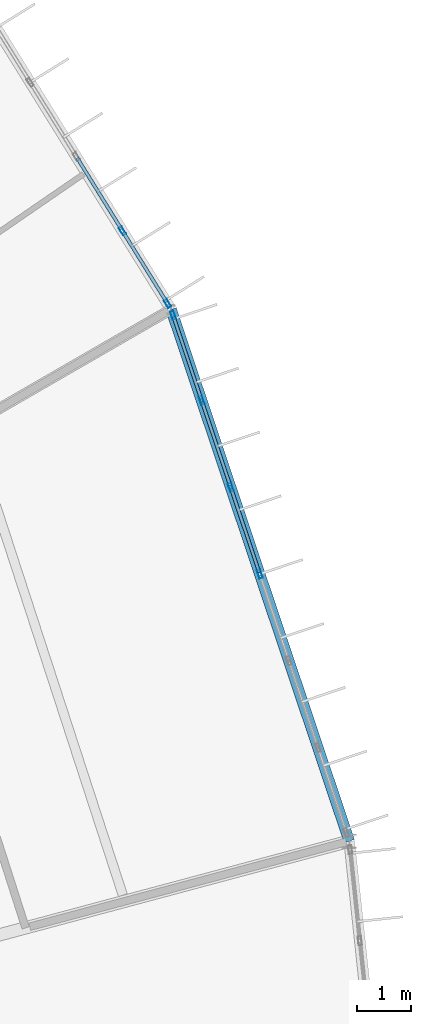
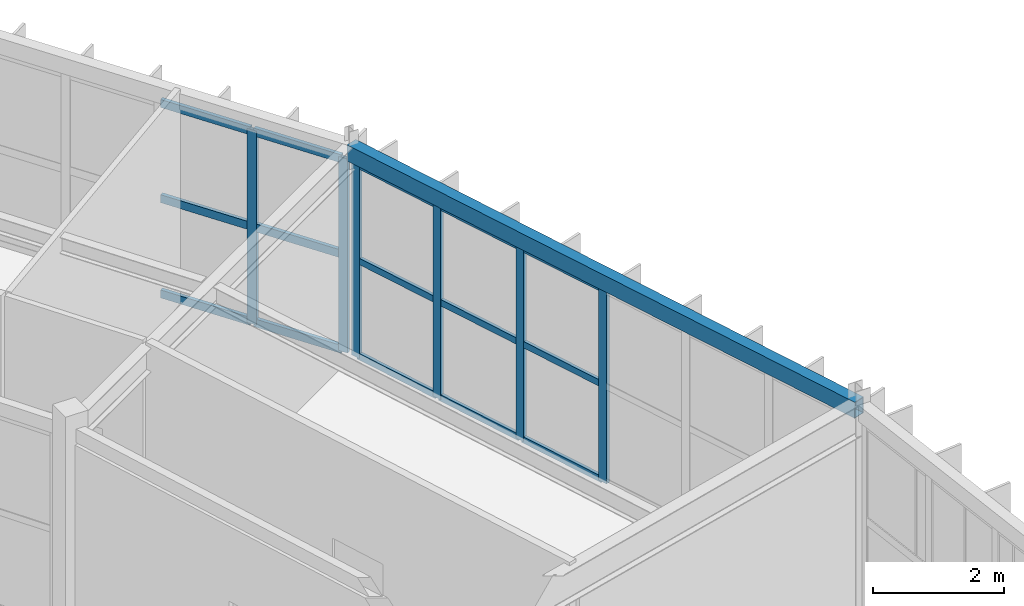
# One storey, part 74 of 130: 21 members, 1 beam, 2 elements without a shape of their own.
"""IFC4 building model written with IfcOpenShell, lengths in metres."""

from ifc_helpers import new_model, si_unit, direction, frame, origin, origin_2d, place, context, subcontext, project, spatial, hollow_rectangle, extrude, material, material_profile, profile_set, type_object, element, aggregate, save


model = new_model("IFC4")

# Units and contexts
model_context = context("Model", 3, precision=1e-05, world=origin(), true_north=direction((0.0, 1.0)))
body_context = subcontext(model_context, "Body", "Model", "MODEL_VIEW")
ifc_project = project(units=[si_unit("LENGTHUNIT", "METRE"), si_unit("AREAUNIT", "SQUARE_METRE"), si_unit("VOLUMEUNIT", "CUBIC_METRE"), si_unit("PLANEANGLEUNIT", "RADIAN"), si_unit("MASSUNIT", "GRAM", prefix="KILO")], contexts=[model_context])

# Site, building, storey
site_placement = place(None, origin())
site = spatial("IfcSite", under=ifc_project, at=site_placement, CompositionType="ELEMENT")
building_placement = place(site_placement, origin())
building = spatial("IfcBuilding", under=site, at=building_placement, Name="Karori Crest Natural Sciences Institute", CompositionType="ELEMENT")
storey_placement = place(building_placement, frame((0.0, 0.0, 17.5)))
storey = spatial("IfcBuildingStorey", under=building, at=storey_placement, Name="L04", CompositionType="ELEMENT", Elevation=17.5)

# Beam
ifc_material_1 = material(Name="Hollow structural steel AS/NZS 1163 Grade C350", Category="steel")
ifc_material_profile_1 = material_profile(ifc_material_1, hollow_rectangle(XDim=0.199951171875, YDim=0.300048828125, WallThickness=0.010009765625, at=origin_2d()), Name="RHS300x200x10")
ifc_profile_set_1 = profile_set([ifc_material_profile_1], Name="Hollow structural steel AS/NZS 1163 Grade C350")
beam_type = type_object("IfcBeamType", Name="BT-15", PredefinedType="SPANDREL", material=ifc_profile_set_1)
beam_placement = place(storey_placement, frame((98.275634765625, 60.459716796875, 3.7900390625), z_axis=(-0.317681238028, 0.948197569605, 0.0), x_axis=(-0.948197569605, -0.317681238028, 0.0)))
element("IfcBeam", 1, at=beam_placement, inside=storey, type_object=beam_type, Name="Beam B-0453", PredefinedType="SPANDREL", context=body_context, shape_type="SweptSolid", body=[
    extrude(hollow_rectangle(XDim=0.199951171875, YDim=0.300048828125, WallThickness=0.010009765625, at=origin_2d()), origin(), (0.0, 0.0, 1.0), 10.3779296875),
])

# Curtain wall, members
ifc_material_2 = material(Name="Anodised architectural aluminium 6063-T6", Category="aluminium")
curtain_wall_type_1 = type_object("IfcCurtainWallType", Name="CWT-02", PredefinedType="NOTDEFINED", material=ifc_material_2)
curtain_wall_1_placement = place(storey_placement, origin())
curtain_wall_1 = element("IfcCurtainWall", 2, at=curtain_wall_1_placement, inside=storey, type_object=curtain_wall_type_1, Name="Curtain wall CW-0138", PredefinedType="NOTDEFINED")
ifc_material_profile_2 = material_profile(ifc_material_2, hollow_rectangle(XDim=0.06494140625, YDim=0.159912109375, WallThickness=0.00390625, at=origin_2d()), Name="CWM160x65x4")
ifc_profile_set_2 = profile_set([ifc_material_profile_2], Name="Anodised architectural aluminium 6063-T6")
member_type_1 = type_object("IfcMemberType", Name="CWM-01", PredefinedType="MULLION", material=ifc_profile_set_2)
member_1_placement = place(storey_placement, frame((95.015625, 70.190185546875, 0.0), z_axis=(0.0, 0.0, 1.0), x_axis=(0.94819805026, 0.317679803392, 0.0)))
member_1 = element("IfcMember", 3, at=member_1_placement, type_object=member_type_1, Name="CW-0138 mullion 1", PredefinedType="MULLION", context=body_context, shape_type="SweptSolid", body=[
    extrude(hollow_rectangle(XDim=0.06494140625, YDim=0.159912109375, WallThickness=0.00390625, at=origin_2d()), origin(), (0.0, 0.0, 1.0), 3.625),
])
member_2_placement = place(storey_placement, frame((95.54345703125, 68.614990234375, 0.0), z_axis=(0.0, 0.0, 1.0), x_axis=(0.94819805026, 0.317679803392, 0.0)))
member_2 = element("IfcMember", 4, at=member_2_placement, type_object=member_type_1, Name="CW-0138 mullion 2", PredefinedType="MULLION", context=body_context, shape_type="SweptSolid", body=[
    extrude(hollow_rectangle(XDim=0.06494140625, YDim=0.159912109375, WallThickness=0.00390625, at=origin_2d()), origin(), (0.0, 0.0, 1.0), 3.625),
])
member_3_placement = place(storey_placement, frame((96.08154296875, 67.0087890625, 0.0), z_axis=(0.0, 0.0, 1.0), x_axis=(0.94819805026, 0.317679803392, 0.0)))
member_3 = element("IfcMember", 5, at=member_3_placement, type_object=member_type_1, Name="CW-0138 mullion 3", PredefinedType="MULLION", context=body_context, shape_type="SweptSolid", body=[
    extrude(hollow_rectangle(XDim=0.06494140625, YDim=0.159912109375, WallThickness=0.00390625, at=origin_2d()), origin(), (0.0, 0.0, 1.0), 3.625),
])
member_4_placement = place(storey_placement, frame((96.619384765625, 65.40283203125, 0.0), z_axis=(0.0, 0.0, 1.0), x_axis=(0.94819805026, 0.317679803392, 0.0)))
member_4 = element("IfcMember", 6, at=member_4_placement, type_object=member_type_1, Name="CW-0138 mullion 4", PredefinedType="MULLION", context=body_context, shape_type="SweptSolid", body=[
    extrude(hollow_rectangle(XDim=0.06494140625, YDim=0.159912109375, WallThickness=0.00390625, at=origin_2d()), origin(), (0.0, 0.0, 1.0), 3.625),
])

curtain_wall_type_2 = type_object("IfcCurtainWallType", Name="CWT-03", PredefinedType="NOTDEFINED", material=ifc_material_2)
curtain_wall_2_placement = place(storey_placement, origin())
curtain_wall_2 = element("IfcCurtainWall", 7, at=curtain_wall_2_placement, inside=storey, type_object=curtain_wall_type_2, Name="Curtain wall CW-0139", PredefinedType="NOTDEFINED")
member_5_placement = place(storey_placement, frame((94.076904296875, 71.7529296875, 0.0), z_axis=(0.0, 0.0, 1.0), x_axis=(0.849661985715, 0.527327706489, 0.0)))
member_5 = element("IfcMember", 8, at=member_5_placement, type_object=member_type_1, Name="CW-0139 mullion 6", PredefinedType="MULLION", context=body_context, shape_type="SweptSolid", body=[
    extrude(hollow_rectangle(XDim=0.06494140625, YDim=0.159912109375, WallThickness=0.00390625, at=origin_2d()), origin(), (0.0, 0.0, 1.0), 3.625),
])
member_6_placement = place(storey_placement, frame((94.912353515625, 70.406982421875, 0.0), z_axis=(0.0, 0.0, 1.0), x_axis=(0.849661985715, 0.527327706489, 0.0)))
member_6 = element("IfcMember", 9, at=member_6_placement, type_object=member_type_1, Name="CW-0139 mullion 7", PredefinedType="MULLION", context=body_context, shape_type="SweptSolid", body=[
    extrude(hollow_rectangle(XDim=0.06494140625, YDim=0.159912109375, WallThickness=0.00390625, at=origin_2d()), origin(), (0.0, 0.0, 1.0), 3.625),
])

# Member
ifc_material_profile_3 = material_profile(ifc_material_2, hollow_rectangle(XDim=0.06005859375, YDim=0.1201171875, WallThickness=0.00390625, at=origin_2d()), Name="CWT120x60x4")
ifc_profile_set_3 = profile_set([ifc_material_profile_3], Name="Anodised architectural aluminium 6063-T6")
member_type_2 = type_object("IfcMemberType", Name="CWT-TR1", PredefinedType="USERDEFINED", material=ifc_profile_set_3)
member_7_placement = place(storey_placement, frame((95.02587890625, 70.1591796875, 0.030029296875), z_axis=(0.317695793379, -0.9481926929, 0.0), x_axis=(0.9481926929, 0.317695793379, 0.0)))
member_7 = element("IfcMember", 10, at=member_7_placement, type_object=member_type_2, Name="CW-0138 transom 1.1", ObjectType="TRANSOM", PredefinedType="USERDEFINED", context=body_context, shape_type="SweptSolid", body=[
    extrude(hollow_rectangle(XDim=0.06005859375, YDim=0.1201171875, WallThickness=0.00390625, at=origin_2d()), origin(), (0.0, 0.0, 1.0), 1.59619140625),
])

member_8_placement = place(storey_placement, frame((95.02587890625, 70.1591796875, 1.8125), z_axis=(0.317695793379, -0.9481926929, 0.0), x_axis=(0.9481926929, 0.317695793379, 0.0)))
member_8 = element("IfcMember", 11, at=member_8_placement, type_object=member_type_2, Name="CW-0138 transom 1.2", ObjectType="TRANSOM", PredefinedType="USERDEFINED", context=body_context, shape_type="SweptSolid", body=[
    extrude(hollow_rectangle(XDim=0.06005859375, YDim=0.1201171875, WallThickness=0.00390625, at=origin_2d()), origin(), (0.0, 0.0, 1.0), 1.59619140625),
])

member_9_placement = place(storey_placement, frame((95.02587890625, 70.1591796875, 3.594970703125), z_axis=(0.317695793379, -0.9481926929, 0.0), x_axis=(0.9481926929, 0.317695793379, 0.0)))
member_9 = element("IfcMember", 12, at=member_9_placement, type_object=member_type_2, Name="CW-0138 transom 1.3", ObjectType="TRANSOM", PredefinedType="USERDEFINED", context=body_context, shape_type="SweptSolid", body=[
    extrude(hollow_rectangle(XDim=0.06005859375, YDim=0.1201171875, WallThickness=0.00390625, at=origin_2d()), origin(), (0.0, 0.0, 1.0), 1.59619140625),
])

member_10_placement = place(storey_placement, frame((95.5537109375, 68.583984375, 0.030029296875), z_axis=(0.317666571129, -0.948202483432, 0.0), x_axis=(0.948202483432, 0.317666571129, 0.0)))
member_10 = element("IfcMember", 13, at=member_10_placement, type_object=member_type_2, Name="CW-0138 transom 2.1", ObjectType="TRANSOM", PredefinedType="USERDEFINED", context=body_context, shape_type="SweptSolid", body=[
    extrude(hollow_rectangle(XDim=0.06005859375, YDim=0.1201171875, WallThickness=0.00390625, at=origin_2d()), origin(), (0.0, 0.0, 1.0), 1.628662109375),
])

member_11_placement = place(storey_placement, frame((95.5537109375, 68.583984375, 1.8125), z_axis=(0.317666571129, -0.948202483432, 0.0), x_axis=(0.948202483432, 0.317666571129, 0.0)))
member_11 = element("IfcMember", 14, at=member_11_placement, type_object=member_type_2, Name="CW-0138 transom 2.2", ObjectType="TRANSOM", PredefinedType="USERDEFINED", context=body_context, shape_type="SweptSolid", body=[
    extrude(hollow_rectangle(XDim=0.06005859375, YDim=0.1201171875, WallThickness=0.00390625, at=origin_2d()), origin(), (0.0, 0.0, 1.0), 1.628662109375),
])

member_12_placement = place(storey_placement, frame((95.5537109375, 68.583984375, 3.594970703125), z_axis=(0.317666571129, -0.948202483432, 0.0), x_axis=(0.948202483432, 0.317666571129, 0.0)))
member_12 = element("IfcMember", 15, at=member_12_placement, type_object=member_type_2, Name="CW-0138 transom 2.3", ObjectType="TRANSOM", PredefinedType="USERDEFINED", context=body_context, shape_type="SweptSolid", body=[
    extrude(hollow_rectangle(XDim=0.06005859375, YDim=0.1201171875, WallThickness=0.00390625, at=origin_2d()), origin(), (0.0, 0.0, 1.0), 1.628662109375),
])

member_13_placement = place(storey_placement, frame((96.091796875, 66.97802734375, 0.030029296875), z_axis=(0.317666571129, -0.948202483432, 0.0), x_axis=(0.948202483432, 0.317666571129, 0.0)))
member_13 = element("IfcMember", 16, at=member_13_placement, type_object=member_type_2, Name="CW-0138 transom 3.1", ObjectType="TRANSOM", PredefinedType="USERDEFINED", context=body_context, shape_type="SweptSolid", body=[
    extrude(hollow_rectangle(XDim=0.06005859375, YDim=0.1201171875, WallThickness=0.00390625, at=origin_2d()), origin(), (0.0, 0.0, 1.0), 1.628662109375),
])

member_14_placement = place(storey_placement, frame((96.091796875, 66.97802734375, 1.8125), z_axis=(0.317666571129, -0.948202483432, 0.0), x_axis=(0.948202483432, 0.317666571129, 0.0)))
member_14 = element("IfcMember", 17, at=member_14_placement, type_object=member_type_2, Name="CW-0138 transom 3.2", ObjectType="TRANSOM", PredefinedType="USERDEFINED", context=body_context, shape_type="SweptSolid", body=[
    extrude(hollow_rectangle(XDim=0.06005859375, YDim=0.1201171875, WallThickness=0.00390625, at=origin_2d()), origin(), (0.0, 0.0, 1.0), 1.628662109375),
])

member_15_placement = place(storey_placement, frame((96.091796875, 66.97802734375, 3.594970703125), z_axis=(0.317666571129, -0.948202483432, 0.0), x_axis=(0.948202483432, 0.317666571129, 0.0)))
member_15 = element("IfcMember", 18, at=member_15_placement, type_object=member_type_2, Name="CW-0138 transom 3.3", ObjectType="TRANSOM", PredefinedType="USERDEFINED", context=body_context, shape_type="SweptSolid", body=[
    extrude(hollow_rectangle(XDim=0.06005859375, YDim=0.1201171875, WallThickness=0.00390625, at=origin_2d()), origin(), (0.0, 0.0, 1.0), 1.628662109375),
])

aggregate(curtain_wall_1, [member_1, member_2, member_3, member_4, member_7, member_8, member_9, member_10, member_11, member_12, member_13, member_14, member_15])

ifc_material_profile_4 = material_profile(ifc_material_2, hollow_rectangle(XDim=0.06494140625, YDim=0.14990234375, WallThickness=0.00390625, at=origin_2d()), Name="CWT150x65x4")
ifc_profile_set_4 = profile_set([ifc_material_profile_4], Name="Anodised architectural aluminium 6063-T6")
member_type_3 = type_object("IfcMemberType", Name="CWT-TR2", PredefinedType="USERDEFINED", material=ifc_profile_set_4)
member_16_placement = place(storey_placement, frame((93.241455078125, 73.09912109375, 0.032470703125), z_axis=(0.5273941938, -0.849620717936, 0.0), x_axis=(0.849620717936, 0.5273941938, 0.0)))
member_16 = element("IfcMember", 19, at=member_16_placement, type_object=member_type_3, Name="CW-0139 transom 5.1", ObjectType="TRANSOM", PredefinedType="USERDEFINED", context=body_context, shape_type="SweptSolid", body=[
    extrude(hollow_rectangle(XDim=0.06494140625, YDim=0.14990234375, WallThickness=0.00390625, at=origin_2d()), origin(), (0.0, 0.0, 1.0), 1.5517578125),
])

member_17_placement = place(storey_placement, frame((93.241455078125, 73.09912109375, 1.8125), z_axis=(0.5273941938, -0.849620717936, 0.0), x_axis=(0.849620717936, 0.5273941938, 0.0)))
member_17 = element("IfcMember", 20, at=member_17_placement, type_object=member_type_3, Name="CW-0139 transom 5.2", ObjectType="TRANSOM", PredefinedType="USERDEFINED", context=body_context, shape_type="SweptSolid", body=[
    extrude(hollow_rectangle(XDim=0.06494140625, YDim=0.14990234375, WallThickness=0.00390625, at=origin_2d()), origin(), (0.0, 0.0, 1.0), 1.5517578125),
])

member_18_placement = place(storey_placement, frame((93.241455078125, 73.09912109375, 3.592529296875), z_axis=(0.5273941938, -0.849620717936, 0.0), x_axis=(0.849620717936, 0.5273941938, 0.0)))
member_18 = element("IfcMember", 21, at=member_18_placement, type_object=member_type_3, Name="CW-0139 transom 5.3", ObjectType="TRANSOM", PredefinedType="USERDEFINED", context=body_context, shape_type="SweptSolid", body=[
    extrude(hollow_rectangle(XDim=0.06494140625, YDim=0.14990234375, WallThickness=0.00390625, at=origin_2d()), origin(), (0.0, 0.0, 1.0), 1.5517578125),
])

member_19_placement = place(storey_placement, frame((94.09423828125, 71.725341796875, 0.032470703125), z_axis=(0.52729485079, -0.849682376144, 0.0), x_axis=(0.849682376144, 0.52729485079, 0.0)))
member_19 = element("IfcMember", 22, at=member_19_placement, type_object=member_type_3, Name="CW-0139 transom 6.1", ObjectType="TRANSOM", PredefinedType="USERDEFINED", context=body_context, shape_type="SweptSolid", body=[
    extrude(hollow_rectangle(XDim=0.06494140625, YDim=0.14990234375, WallThickness=0.00390625, at=origin_2d()), origin(), (0.0, 0.0, 1.0), 1.51904296875),
])

member_20_placement = place(storey_placement, frame((94.09423828125, 71.725341796875, 1.8125), z_axis=(0.52729485079, -0.849682376144, 0.0), x_axis=(0.849682376144, 0.52729485079, 0.0)))
member_20 = element("IfcMember", 23, at=member_20_placement, type_object=member_type_3, Name="CW-0139 transom 6.2", ObjectType="TRANSOM", PredefinedType="USERDEFINED", context=body_context, shape_type="SweptSolid", body=[
    extrude(hollow_rectangle(XDim=0.06494140625, YDim=0.14990234375, WallThickness=0.00390625, at=origin_2d()), origin(), (0.0, 0.0, 1.0), 1.51904296875),
])

member_21_placement = place(storey_placement, frame((94.09423828125, 71.725341796875, 3.592529296875), z_axis=(0.52729485079, -0.849682376144, 0.0), x_axis=(0.849682376144, 0.52729485079, 0.0)))
member_21 = element("IfcMember", 24, at=member_21_placement, type_object=member_type_3, Name="CW-0139 transom 6.3", ObjectType="TRANSOM", PredefinedType="USERDEFINED", context=body_context, shape_type="SweptSolid", body=[
    extrude(hollow_rectangle(XDim=0.06494140625, YDim=0.14990234375, WallThickness=0.00390625, at=origin_2d()), origin(), (0.0, 0.0, 1.0), 1.51904296875),
])

aggregate(curtain_wall_2, [member_5, member_6, member_16, member_17, member_18, member_19, member_20, member_21])

save(model, "model.ifc")
